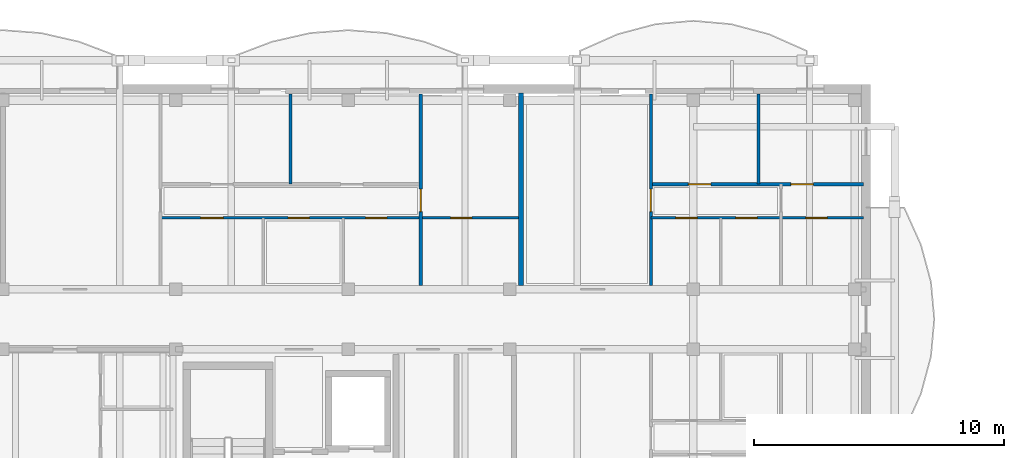
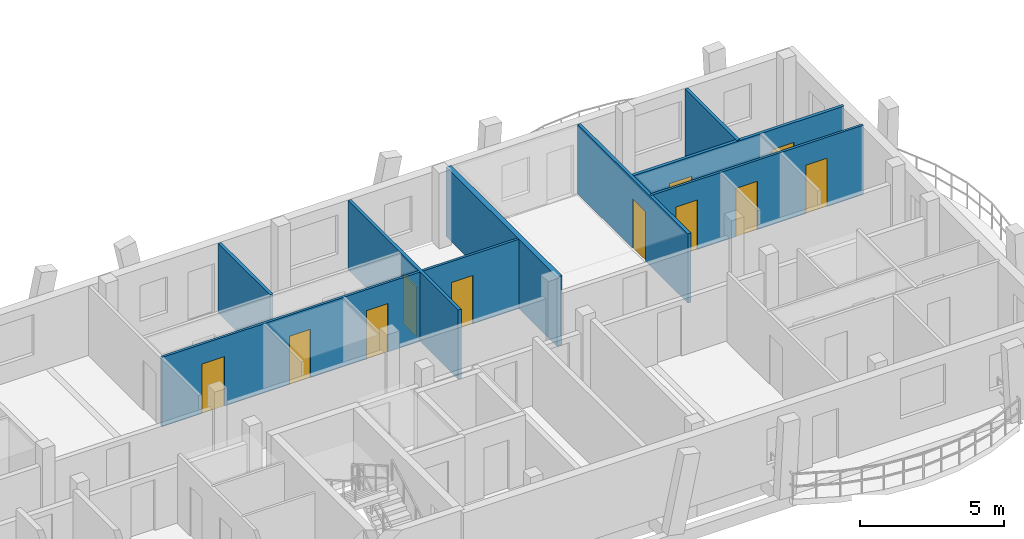
# One storey, part 28 of 50: 11 doors, 8 walls, 11 openings.
"""IFC4 building model written with IfcOpenShell, lengths in metres."""

from ifc_helpers import new_model, si_unit, direction, frame, frame_2d, origin, origin_with_axes, place, context, subcontext, project, spatial, rectangle, extrude, material, layer, layer_set, type_object, element, fill, save


model = new_model("IFC4")

# Units and contexts
model_context = context("Model", 3, precision=1e-05, world=origin(), true_north=direction((0.0, 1.0)))
body_context = subcontext(model_context, "Body", "Model", "MODEL_VIEW")
ifc_project = project(units=[si_unit("LENGTHUNIT", "METRE"), si_unit("AREAUNIT", "SQUARE_METRE"), si_unit("VOLUMEUNIT", "CUBIC_METRE"), si_unit("PLANEANGLEUNIT", "RADIAN"), si_unit("MASSUNIT", "GRAM", prefix="KILO")], contexts=[model_context])

# Site, building, storey
site_placement = place(None, origin())
site = spatial("IfcSite", under=ifc_project, at=site_placement, CompositionType="ELEMENT")
building_placement = place(site_placement, origin())
building = spatial("IfcBuilding", under=site, at=building_placement, Name="Zavelmont Quarter", CompositionType="ELEMENT")
storey_placement = place(building_placement, frame((0.0, 0.0, 11.199951171875)))
storey = spatial("IfcBuildingStorey", under=building, at=storey_placement, Name="L03", CompositionType="ELEMENT", Elevation=11.199951171875)

# Walls
ifc_material_1 = material(Name="Calcium-silicate blockwork and acoustic plaster", Category="masonry")
ifc_layer_1 = layer(ifc_material_1, 0.199951171875)
ifc_layer_set_1 = layer_set([ifc_layer_1], Name="Calcium-silicate blockwork and acoustic plaster")
wall_type_1 = type_object("IfcWallType", Name="IW01", PredefinedType="PARTITIONING", material=ifc_layer_set_1)
wall_1_placement = place(storey_placement, frame((41.39990234375, 108.14990234375, 0.0), z_axis=(0.0, 0.0, 1.0), x_axis=(0.0, 1.0, 0.0)))
element("IfcWall", 1, at=wall_1_placement, inside=storey, type_object=wall_type_1, Name="L03 Inter-dwelling compartment wall IW01", PredefinedType="PARTITIONING", context=body_context, shape_type="SweptSolid", body=[
    extrude(rectangle(XDim=7.7001953125, YDim=0.199951171875, at=frame_2d((3.85009765625, 0.0))), origin(), (0.0, 0.0, 1.0), 2.93994140625),
])
ifc_material_2 = material(Name="Double gypsum board on acoustic steel stud", Category="steel")
ifc_layer_2 = layer(ifc_material_2, 0.125)
ifc_layer_set_2 = layer_set([ifc_layer_2], Name="Double gypsum board on acoustic steel stud")
wall_type_2 = type_object("IfcWallType", Name="IW03", PredefinedType="PARTITIONING", material=ifc_layer_set_2)
wall_2_placement = place(storey_placement, frame((32.199951171875, 112.199951171875, 0.0), z_axis=(0.0, 0.0, 1.0), x_axis=(0.0, 1.0, 0.0)))
element("IfcWall", 2, at=wall_2_placement, inside=storey, type_object=wall_type_2, Name="L03 Partition IW03", PredefinedType="PARTITIONING", context=body_context, shape_type="SweptSolid", body=[
    extrude(rectangle(XDim=3.60009765625, YDim=0.125, at=frame_2d((1.800048828125, 0.0))), origin(), (0.0, 0.0, 1.0), 2.93994140625),
])

# Wall, opening, door
wall_3_placement = place(storey_placement, frame((37.39990234375, 108.14990234375, 0.0), z_axis=(0.0, 0.0, 1.0), x_axis=(0.0, 1.0, 0.0)))
wall_3 = element("IfcWall", 3, at=wall_3_placement, inside=storey, type_object=wall_type_2, Name="L03 Partition IW03", PredefinedType="PARTITIONING", context=body_context, shape_type="SweptSolid", body=[
    extrude(rectangle(XDim=7.650146484375, YDim=0.125, at=frame_2d((3.8251953125, 0.0))), origin(), (0.0, 0.0, 1.0), 2.93994140625),
])
opening_1_placement = place(wall_3_placement, frame((2.949951171875, 0.0, 0.0)))
opening_1 = element("IfcOpeningElement", 4, at=opening_1_placement, cuts=wall_3, Name="Opening DR05", PredefinedType="OPENING", context=body_context, shape_type="SweptSolid", body=[
    extrude(rectangle(XDim=0.89990234375, YDim=2.10009765625, at=frame_2d((0.449951171875, 1.050048828125))), frame((0.0, 0.074462890625, 0.0), z_axis=(0.0, -1.0, 0.0), x_axis=(1.0, 0.0, 0.0)), (0.0, 0.0, 1.0), 0.14892578125),
])
ifc_material_3 = material(Name="Engineered oak flush interior door")
door_type_1 = type_object("IfcDoorType", Name="DR05", OperationType="NOTDEFINED", PredefinedType="DOOR", material=ifc_material_3)
door_1_placement = place(opening_1_placement, frame((0.89990234375, 0.0, 0.0), z_axis=(0.0, 0.0, 1.0), x_axis=(-1.0, 0.0, 0.0)))
door_1 = element("IfcDoor", 5, at=door_1_placement, inside=storey, type_object=door_type_1, Name="L03 door DR05", OperationType="SINGLE_SWING_LEFT", OverallHeight=2.10009765625, OverallWidth=0.89990234375, PredefinedType="DOOR", context=body_context, shape_type="SweptSolid", body=[
    extrude(rectangle(XDim=0.89990234375, YDim=2.10009765625, at=frame_2d((0.449951171875, 1.050048828125))), frame((0.0, 0.02490234375, 0.0), z_axis=(0.0, -1.0, 0.0), x_axis=(1.0, 0.0, 0.0)), (0.0, 0.0, 1.0), 0.050048828125),
])
fill(opening_1, door_1)

wall_4_placement = place(storey_placement, frame((46.60009765625, 108.14990234375, 0.0), z_axis=(0.0, 0.0, 1.0), x_axis=(0.0, 1.0, 0.0)))
wall_4 = element("IfcWall", 6, at=wall_4_placement, inside=storey, type_object=wall_type_2, Name="L03 Partition IW03", PredefinedType="PARTITIONING", context=body_context, shape_type="SweptSolid", body=[
    extrude(rectangle(XDim=7.650146484375, YDim=0.125, at=frame_2d((3.8251953125, 0.0))), origin(), (0.0, 0.0, 1.0), 2.93994140625),
])
opening_2_placement = place(wall_4_placement, frame((2.949951171875, 0.0, 0.0)))
opening_2 = element("IfcOpeningElement", 7, at=opening_2_placement, cuts=wall_4, Name="Opening DR05", PredefinedType="OPENING", context=body_context, shape_type="SweptSolid", body=[
    extrude(rectangle(XDim=0.89990234375, YDim=2.10009765625, at=frame_2d((0.449951171875, 1.050048828125))), frame((0.0, 0.074462890625, 0.0), z_axis=(0.0, -1.0, 0.0), x_axis=(1.0, 0.0, 0.0)), (0.0, 0.0, 1.0), 0.14892578125),
])
door_2_placement = place(opening_2_placement, frame((0.89990234375, 0.0, 0.0), z_axis=(0.0, 0.0, 1.0), x_axis=(-1.0, 0.0, 0.0)))
door_2 = element("IfcDoor", 8, at=door_2_placement, inside=storey, type_object=door_type_1, Name="L03 door DR05", OperationType="SINGLE_SWING_RIGHT", OverallHeight=2.10009765625, OverallWidth=0.89990234375, PredefinedType="DOOR", context=body_context, shape_type="SweptSolid", body=[
    extrude(rectangle(XDim=0.89990234375, YDim=2.10009765625, at=frame_2d((0.449951171875, 1.050048828125))), frame((0.0, 0.02490234375, 0.0), z_axis=(0.0, -1.0, 0.0), x_axis=(1.0, 0.0, 0.0)), (0.0, 0.0, 1.0), 0.050048828125),
])
fill(opening_2, door_2)

# Wall
wall_5_placement = place(storey_placement, frame((50.89990234375, 112.199951171875, 0.0), z_axis=(0.0, 0.0, 1.0), x_axis=(0.0, 1.0, 0.0)))
element("IfcWall", 9, at=wall_5_placement, inside=storey, type_object=wall_type_2, Name="L03 Partition IW03", PredefinedType="PARTITIONING", context=body_context, shape_type="SweptSolid", body=[
    extrude(rectangle(XDim=3.60009765625, YDim=0.125, at=frame_2d((1.800048828125, 0.0))), origin(), (0.0, 0.0, 1.0), 2.93994140625),
])

# Wall, openings, doors
wall_6_placement = place(storey_placement, frame((46.60009765625, 112.199951171875, 0.0), z_axis=(0.0, 0.0, 1.0), x_axis=(1.0, 0.0, 0.0)))
wall_6 = element("IfcWall", 10, at=wall_6_placement, inside=storey, type_object=wall_type_2, Name="L03 Partition IW03", PredefinedType="PARTITIONING", context=body_context, shape_type="SweptSolid", body=[
    extrude(rectangle(XDim=8.5, YDim=0.125, at=frame_2d((4.25, 0.0))), origin(), (0.0, 0.0, 1.0), 2.93994140625),
])
opening_3_placement = place(wall_6_placement, frame((1.5, 0.0, 0.0)))
opening_3 = element("IfcOpeningElement", 11, at=opening_3_placement, cuts=wall_6, Name="Opening DR05", PredefinedType="OPENING", context=body_context, shape_type="SweptSolid", body=[
    extrude(rectangle(XDim=0.89990234375, YDim=2.10009765625, at=frame_2d((0.449951171875, 1.050048828125))), frame((0.0, 0.074462890625, 0.0), z_axis=(0.0, -1.0, 0.0), x_axis=(1.0, 0.0, 0.0)), (0.0, 0.0, 1.0), 0.14892578125),
])
opening_4_placement = place(wall_6_placement, frame((5.60009765625, 0.0, 0.0)))
opening_4 = element("IfcOpeningElement", 12, at=opening_4_placement, cuts=wall_6, Name="Opening DR05", PredefinedType="OPENING", context=body_context, shape_type="SweptSolid", body=[
    extrude(rectangle(XDim=0.89990234375, YDim=2.10009765625, at=frame_2d((0.449951171875, 1.050048828125))), frame((0.0, 0.074462890625, 0.0), z_axis=(0.0, -1.0, 0.0), x_axis=(1.0, 0.0, 0.0)), (0.0, 0.0, 1.0), 0.14892578125),
])
door_3_placement = place(opening_3_placement, origin_with_axes())
door_3 = element("IfcDoor", 13, at=door_3_placement, inside=storey, type_object=door_type_1, Name="L03 door DR05", OperationType="SINGLE_SWING_LEFT", OverallHeight=2.10009765625, OverallWidth=0.89990234375, PredefinedType="DOOR", context=body_context, shape_type="SweptSolid", body=[
    extrude(rectangle(XDim=0.89990234375, YDim=2.10009765625, at=frame_2d((0.449951171875, 1.050048828125))), frame((0.0, 0.02490234375, 0.0), z_axis=(0.0, -1.0, 0.0), x_axis=(1.0, 0.0, 0.0)), (0.0, 0.0, 1.0), 0.050048828125),
])
fill(opening_3, door_3)
door_4_placement = place(opening_4_placement, frame((0.89990234375, 0.0, 0.0), z_axis=(0.0, 0.0, 1.0), x_axis=(-1.0, 0.0, 0.0)))
door_4 = element("IfcDoor", 14, at=door_4_placement, inside=storey, type_object=door_type_1, Name="L03 door DR05", OperationType="SINGLE_SWING_RIGHT", OverallHeight=2.10009765625, OverallWidth=0.89990234375, PredefinedType="DOOR", context=body_context, shape_type="SweptSolid", body=[
    extrude(rectangle(XDim=0.89990234375, YDim=2.10009765625, at=frame_2d((0.449951171875, 1.050048828125))), frame((0.0, 0.02490234375, 0.0), z_axis=(0.0, -1.0, 0.0), x_axis=(1.0, 0.0, 0.0)), (0.0, 0.0, 1.0), 0.050048828125),
])
fill(opening_4, door_4)

ifc_material_4 = material(Name="Moisture-resistant gypsum board on steel stud", Category="steel")
ifc_layer_3 = layer(ifc_material_4, 0.10009765625)
ifc_layer_set_3 = layer_set([ifc_layer_3], Name="Moisture-resistant gypsum board on steel stud")
wall_type_3 = type_object("IfcWallType", Name="IW04", PredefinedType="PARTITIONING", material=ifc_layer_set_3)
wall_7_placement = place(storey_placement, frame((27.0, 110.85009765625, 0.0), z_axis=(0.0, 0.0, 1.0), x_axis=(1.0, 0.0, 0.0)))
wall_7 = element("IfcWall", 15, at=wall_7_placement, inside=storey, type_object=wall_type_3, Name="L03 Partition IW04", PredefinedType="PARTITIONING", context=body_context, shape_type="SweptSolid", body=[
    extrude(rectangle(XDim=14.300048828125, YDim=0.10009765625, at=frame_2d((7.14990234375, 0.0))), origin(), (0.0, 0.0, 1.0), 2.93994140625),
])
opening_5_placement = place(wall_7_placement, frame((1.60009765625, 0.0, 0.0)))
opening_5 = element("IfcOpeningElement", 16, at=opening_5_placement, cuts=wall_7, Name="Opening DR05", PredefinedType="OPENING", context=body_context, shape_type="SweptSolid", body=[
    extrude(rectangle(XDim=0.89990234375, YDim=2.10009765625, at=frame_2d((0.449951171875, 1.050048828125))), frame((0.0, 0.06201171875, 0.0), z_axis=(0.0, -1.0, 0.0), x_axis=(1.0, 0.0, 0.0)), (0.0, 0.0, 1.0), 0.1240234375),
])
opening_6_placement = place(wall_7_placement, frame((5.10009765625, 0.0, 0.0)))
opening_6 = element("IfcOpeningElement", 17, at=opening_6_placement, cuts=wall_7, Name="Opening DR06", PredefinedType="OPENING", context=body_context, shape_type="SweptSolid", body=[
    extrude(rectangle(XDim=0.85009765625, YDim=2.050048828125, at=frame_2d((0.425048828125, 1.02490234375))), frame((0.0, 0.06201171875, 0.0), z_axis=(0.0, -1.0, 0.0), x_axis=(1.0, 0.0, 0.0)), (0.0, 0.0, 1.0), 0.1240234375),
])
opening_7_placement = place(wall_7_placement, frame((8.199951171875, 0.0, 0.0)))
opening_7 = element("IfcOpeningElement", 18, at=opening_7_placement, cuts=wall_7, Name="Opening DR06", PredefinedType="OPENING", context=body_context, shape_type="SweptSolid", body=[
    extrude(rectangle(XDim=0.85009765625, YDim=2.050048828125, at=frame_2d((0.425048828125, 1.02490234375))), frame((0.0, 0.06201171875, 0.0), z_axis=(0.0, -1.0, 0.0), x_axis=(1.0, 0.0, 0.0)), (0.0, 0.0, 1.0), 0.1240234375),
])
opening_8_placement = place(wall_7_placement, frame((11.60009765625, 0.0, 0.0)))
opening_8 = element("IfcOpeningElement", 19, at=opening_8_placement, cuts=wall_7, Name="Opening DR06", PredefinedType="OPENING", context=body_context, shape_type="SweptSolid", body=[
    extrude(rectangle(XDim=0.85009765625, YDim=2.050048828125, at=frame_2d((0.425048828125, 1.02490234375))), frame((0.0, 0.06201171875, 0.0), z_axis=(0.0, -1.0, 0.0), x_axis=(1.0, 0.0, 0.0)), (0.0, 0.0, 1.0), 0.1240234375),
])
door_5_placement = place(opening_5_placement, origin_with_axes())
door_5 = element("IfcDoor", 20, at=door_5_placement, inside=storey, type_object=door_type_1, Name="L03 door DR05", OperationType="SINGLE_SWING_RIGHT", OverallHeight=2.10009765625, OverallWidth=0.89990234375, PredefinedType="DOOR", context=body_context, shape_type="SweptSolid", body=[
    extrude(rectangle(XDim=0.89990234375, YDim=2.10009765625, at=frame_2d((0.449951171875, 1.050048828125))), frame((0.0, 0.02490234375, 0.0), z_axis=(0.0, -1.0, 0.0), x_axis=(1.0, 0.0, 0.0)), (0.0, 0.0, 1.0), 0.050048828125),
])
fill(opening_5, door_5)
ifc_material_5 = material(Name="Moisture-resistant painted wet-room door")
door_type_2 = type_object("IfcDoorType", Name="DR06", OperationType="NOTDEFINED", PredefinedType="DOOR", material=ifc_material_5)
door_6_placement = place(opening_6_placement, frame((0.85009765625, 0.0, 0.0), z_axis=(0.0, 0.0, 1.0), x_axis=(-1.0, 0.0, 0.0)))
door_6 = element("IfcDoor", 21, at=door_6_placement, inside=storey, type_object=door_type_2, Name="L03 door DR06", OperationType="SINGLE_SWING_LEFT", OverallHeight=2.050048828125, OverallWidth=0.85009765625, PredefinedType="DOOR", context=body_context, shape_type="SweptSolid", body=[
    extrude(rectangle(XDim=0.85009765625, YDim=2.050048828125, at=frame_2d((0.425048828125, 1.02490234375))), frame((0.0, 0.02490234375, 0.0), z_axis=(0.0, -1.0, 0.0), x_axis=(1.0, 0.0, 0.0)), (0.0, 0.0, 1.0), 0.050048828125),
])
fill(opening_6, door_6)
door_7_placement = place(opening_7_placement, origin_with_axes())
door_7 = element("IfcDoor", 22, at=door_7_placement, inside=storey, type_object=door_type_2, Name="L03 door DR06", OperationType="SINGLE_SWING_RIGHT", OverallHeight=2.050048828125, OverallWidth=0.85009765625, PredefinedType="DOOR", context=body_context, shape_type="SweptSolid", body=[
    extrude(rectangle(XDim=0.85009765625, YDim=2.050048828125, at=frame_2d((0.425048828125, 1.02490234375))), frame((0.0, 0.02490234375, 0.0), z_axis=(0.0, -1.0, 0.0), x_axis=(1.0, 0.0, 0.0)), (0.0, 0.0, 1.0), 0.050048828125),
])
fill(opening_7, door_7)
door_8_placement = place(opening_8_placement, frame((0.85009765625, 0.0, 0.0), z_axis=(0.0, 0.0, 1.0), x_axis=(-1.0, 0.0, 0.0)))
door_8 = element("IfcDoor", 23, at=door_8_placement, inside=storey, type_object=door_type_2, Name="L03 door DR06", OperationType="SINGLE_SWING_LEFT", OverallHeight=2.050048828125, OverallWidth=0.85009765625, PredefinedType="DOOR", context=body_context, shape_type="SweptSolid", body=[
    extrude(rectangle(XDim=0.85009765625, YDim=2.050048828125, at=frame_2d((0.425048828125, 1.02490234375))), frame((0.0, 0.02490234375, 0.0), z_axis=(0.0, -1.0, 0.0), x_axis=(1.0, 0.0, 0.0)), (0.0, 0.0, 1.0), 0.050048828125),
])
fill(opening_8, door_8)

wall_8_placement = place(storey_placement, frame((46.60009765625, 110.85009765625, 0.0), z_axis=(0.0, 0.0, 1.0), x_axis=(1.0, 0.0, 0.0)))
wall_8 = element("IfcWall", 24, at=wall_8_placement, inside=storey, type_object=wall_type_3, Name="L03 Partition IW04", PredefinedType="PARTITIONING", context=body_context, shape_type="SweptSolid", body=[
    extrude(rectangle(XDim=8.5, YDim=0.10009765625, at=frame_2d((4.25, 0.0))), origin(), (0.0, 0.0, 1.0), 2.93994140625),
])
opening_9_placement = place(wall_8_placement, frame((1.0, 0.0, 0.0)))
opening_9 = element("IfcOpeningElement", 25, at=opening_9_placement, cuts=wall_8, Name="Opening DR16", PredefinedType="OPENING", context=body_context, shape_type="SweptSolid", body=[
    extrude(rectangle(XDim=0.85009765625, YDim=2.10009765625, at=frame_2d((0.425048828125, 1.050048828125))), frame((0.0, 0.06201171875, 0.0), z_axis=(0.0, -1.0, 0.0), x_axis=(1.0, 0.0, 0.0)), (0.0, 0.0, 1.0), 0.1240234375),
])
opening_10_placement = place(wall_8_placement, frame((3.39990234375, 0.0, 0.0)))
opening_10 = element("IfcOpeningElement", 26, at=opening_10_placement, cuts=wall_8, Name="Opening DR06", PredefinedType="OPENING", context=body_context, shape_type="SweptSolid", body=[
    extrude(rectangle(XDim=0.85009765625, YDim=2.050048828125, at=frame_2d((0.425048828125, 1.02490234375))), frame((0.0, 0.06201171875, 0.0), z_axis=(0.0, -1.0, 0.0), x_axis=(1.0, 0.0, 0.0)), (0.0, 0.0, 1.0), 0.1240234375),
])
opening_11_placement = place(wall_8_placement, frame((6.199951171875, 0.0, 0.0)))
opening_11 = element("IfcOpeningElement", 27, at=opening_11_placement, cuts=wall_8, Name="Opening DR06", PredefinedType="OPENING", context=body_context, shape_type="SweptSolid", body=[
    extrude(rectangle(XDim=0.85009765625, YDim=2.050048828125, at=frame_2d((0.425048828125, 1.02490234375))), frame((0.0, 0.06201171875, 0.0), z_axis=(0.0, -1.0, 0.0), x_axis=(1.0, 0.0, 0.0)), (0.0, 0.0, 1.0), 0.1240234375),
])
door_9_placement = place(opening_10_placement, origin_with_axes())
door_9 = element("IfcDoor", 28, at=door_9_placement, inside=storey, type_object=door_type_2, Name="L03 door DR06", OperationType="SINGLE_SWING_LEFT", OverallHeight=2.050048828125, OverallWidth=0.85009765625, PredefinedType="DOOR", context=body_context, shape_type="SweptSolid", body=[
    extrude(rectangle(XDim=0.85009765625, YDim=2.050048828125, at=frame_2d((0.425048828125, 1.02490234375))), frame((0.0, 0.02490234375, 0.0), z_axis=(0.0, -1.0, 0.0), x_axis=(1.0, 0.0, 0.0)), (0.0, 0.0, 1.0), 0.050048828125),
])
fill(opening_10, door_9)
door_10_placement = place(opening_11_placement, frame((0.85009765625, 0.0, 0.0), z_axis=(0.0, 0.0, 1.0), x_axis=(-1.0, 0.0, 0.0)))
door_10 = element("IfcDoor", 29, at=door_10_placement, inside=storey, type_object=door_type_2, Name="L03 door DR06", OperationType="SINGLE_SWING_RIGHT", OverallHeight=2.050048828125, OverallWidth=0.85009765625, PredefinedType="DOOR", context=body_context, shape_type="SweptSolid", body=[
    extrude(rectangle(XDim=0.85009765625, YDim=2.050048828125, at=frame_2d((0.425048828125, 1.02490234375))), frame((0.0, 0.02490234375, 0.0), z_axis=(0.0, -1.0, 0.0), x_axis=(1.0, 0.0, 0.0)), (0.0, 0.0, 1.0), 0.050048828125),
])
fill(opening_11, door_10)
door_type_3 = type_object("IfcDoorType", Name="DR16", OperationType="NOTDEFINED", PredefinedType="DOOR", material=ifc_material_3)
door_11_placement = place(opening_9_placement, frame((0.85009765625, 0.0, 0.0), z_axis=(0.0, 0.0, 1.0), x_axis=(-1.0, 0.0, 0.0)))
door_11 = element("IfcDoor", 30, at=door_11_placement, inside=storey, type_object=door_type_3, Name="L03 door DR16", OperationType="SINGLE_SWING_RIGHT", OverallHeight=2.10009765625, OverallWidth=0.85009765625, PredefinedType="DOOR", context=body_context, shape_type="SweptSolid", body=[
    extrude(rectangle(XDim=0.85009765625, YDim=2.10009765625, at=frame_2d((0.425048828125, 1.050048828125))), frame((0.0, 0.02490234375, 0.0), z_axis=(0.0, -1.0, 0.0), x_axis=(1.0, 0.0, 0.0)), (0.0, 0.0, 1.0), 0.050048828125),
])
fill(opening_9, door_11)

save(model, "model.ifc")
